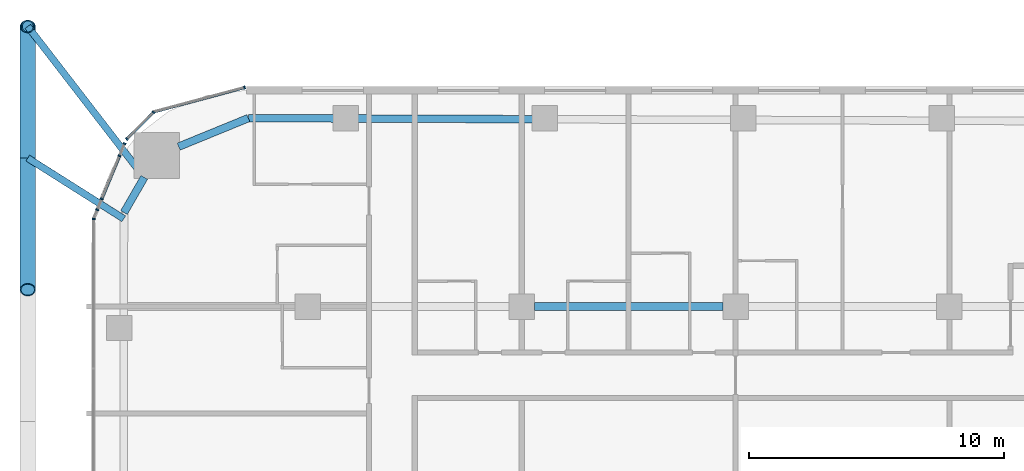
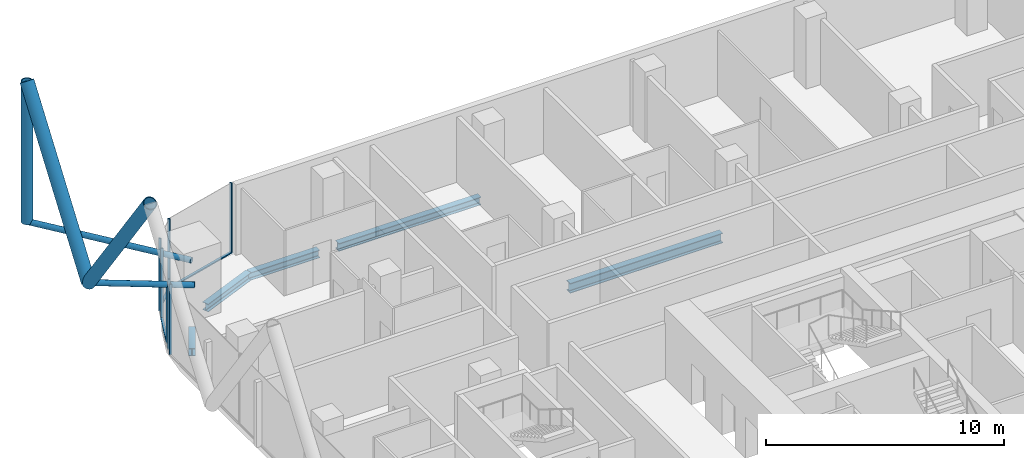
# One storey, part 10 of 38: 16 members, 5 beams, 7 elements without a shape of their own.
"""IFC4 building model written with IfcOpenShell, lengths in metres."""

from ifc_helpers import new_model, si_unit, direction, frame, origin, origin_2d, place, context, subcontext, project, spatial, rectangle, hollow_circle, i_section, extrude, material, layer, layer_set, material_profile, profile_set, type_object, element, aggregate, save


model = new_model("IFC4")

# Units and contexts
model_context = context("Model", 3, precision=1e-05, world=origin(), true_north=direction((0.0, 1.0)))
body_context = subcontext(model_context, "Body", "Model", "MODEL_VIEW")
ifc_project = project(units=[si_unit("LENGTHUNIT", "METRE"), si_unit("AREAUNIT", "SQUARE_METRE"), si_unit("VOLUMEUNIT", "CUBIC_METRE"), si_unit("PLANEANGLEUNIT", "RADIAN"), si_unit("MASSUNIT", "GRAM", prefix="KILO")], contexts=[model_context])

# Site, building, storey
site_placement = place(None, origin())
site = spatial("IfcSite", under=ifc_project, at=site_placement, CompositionType="ELEMENT")
building_placement = place(site_placement, origin())
building = spatial("IfcBuilding", under=site, at=building_placement, Name="Marenta Gate Hotel Tower", CompositionType="ELEMENT")
storey_placement = place(building_placement, frame((0.0, 0.0, 40.10009765625)))
storey = spatial("IfcBuildingStorey", under=building, at=storey_placement, Name="L07", CompositionType="ELEMENT", Elevation=40.10009765625)

# Members
ifc_material_1 = material(Name="Steel S355J2W", Category="steel")
ifc_material_profile_1 = material_profile(ifc_material_1, hollow_circle(Radius=0.25390625, WallThickness=0.0400390625, at=origin_2d()), Name="CHS 508x40")
ifc_profile_set_1 = profile_set([ifc_material_profile_1], Name="Steel S355J2W")
member_type_1 = type_object("IfcMemberType", Name="Diagrid corner post Z1 CHS 508x40", PredefinedType="POST", material=ifc_profile_set_1)
member_1_placement = place(storey_placement, frame((-32.0, 36.199951171875, 3.139892578125), z_axis=(0.0, 0.0, 1.0), x_axis=(1.0, 0.0, 0.0)))
element("IfcMember", 1, at=member_1_placement, inside=storey, type_object=member_type_1, Name="L07-DR-6", PredefinedType="POST", context=body_context, shape_type="SweptSolid", body=[
    extrude(hollow_circle(Radius=0.25390625, WallThickness=0.0400390625, at=origin_2d()), origin(), (0.0, 0.0, 1.0), 7.199951171875),
])
ifc_material_2 = material(Name="Steel S355J2W", Category="steel")
ifc_material_profile_2 = material_profile(ifc_material_2, hollow_circle(Radius=0.304931640625, WallThickness=0.0400390625, at=origin_2d()), Name="CHS 610x40")
ifc_profile_set_2 = profile_set([ifc_material_profile_2], Name="Steel S355J2W")
member_type_2 = type_object("IfcMemberType", Name="Diagrid diagonal Z1 CHS 610x40", PredefinedType="BRACE", material=ifc_profile_set_2)
for number, where, z_axis, x_axis, name in (
    (2, (-32.0, 31.030029296875, 3.139892578125), (0.0, -0.583260841117, 0.812284919975), (1.0, 0.0, 0.0), "L07-DG-33"),
    (3, (-32.0, 31.030029296875, 3.139892578125), (0.0, 0.583260841117, 0.812284919975), (-1.0, 0.0, 0.0), "L07-DG-34"),
):
    element("IfcMember", number, at=place(storey_placement, frame(where, z_axis=z_axis, x_axis=x_axis)), inside=storey, type_object=member_type_2, Name=name, PredefinedType="BRACE", context=body_context, shape_type="SweptSolid", body=[
        extrude(hollow_circle(Radius=0.304931640625, WallThickness=0.0400390625, at=origin_2d()), origin(), (0.0, 0.0, 1.0), 8.86376953125),
    ])

# Beams
ifc_material_3 = material(Name="Steel S355", Category="steel")
ifc_material_profile_3 = material_profile(ifc_material_3, i_section(OverallWidth=0.300048828125, OverallDepth=0.39990234375, WebThickness=0.013427734375, FlangeThickness=0.02392578125, FilletRadius=0.027099609375, at=origin_2d()), Name="HEB 400")
ifc_profile_set_3 = profile_set([ifc_material_profile_3], Name="Steel S355")
beam_type_1 = type_object("IfcBeamType", Name="Edge beam HEB 400", PredefinedType="SPANDREL", material=ifc_profile_set_3)
beam_1_placement = place(storey_placement, frame((-28.221435546875, 28.891845703125, -0.460205078125), z_axis=(0.500098681536, 0.865968422476, 0.0), x_axis=(-0.865968422476, 0.500098681536, 0.0)))
element("IfcBeam", 4, at=beam_1_placement, inside=storey, type_object=beam_type_1, Name="L07-EB-11", PredefinedType="SPANDREL", context=body_context, shape_type="SweptSolid", body=[
    extrude(i_section(OverallWidth=0.300048828125, OverallDepth=0.39990234375, WebThickness=0.013427734375, FlangeThickness=0.02392578125, FilletRadius=0.027099609375, at=origin_2d()), origin(), (0.0, 0.0, 1.0), 1.591552734375),
])
beam_2_placement = place(storey_placement, frame((-26.072509765625, 31.47998046875, -0.460205078125), z_axis=(0.925545641603, 0.378636059177, 0.0), x_axis=(-0.378636059177, 0.925545641603, 0.0)))
element("IfcBeam", 5, at=beam_2_placement, inside=storey, type_object=beam_type_1, Name="L07-EB-12", PredefinedType="SPANDREL", context=body_context, shape_type="SweptSolid", body=[
    extrude(i_section(OverallWidth=0.300048828125, OverallDepth=0.39990234375, WebThickness=0.013427734375, FlangeThickness=0.02392578125, FilletRadius=0.027099609375, at=origin_2d()), origin(), (0.0, 0.0, 1.0), 2.958251953125),
])
beam_3_placement = place(storey_placement, frame((-23.33447265625, 32.60009765625, -0.460205078125), z_axis=(0.999992894549, -0.00376972818, 0.0), x_axis=(0.00376972818, 0.999992894549, 0.0)))
element("IfcBeam", 6, at=beam_3_placement, inside=storey, type_object=beam_type_1, Name="L07-EB-13", PredefinedType="SPANDREL", context=body_context, shape_type="SweptSolid", body=[
    extrude(i_section(OverallWidth=0.300048828125, OverallDepth=0.39990234375, WebThickness=0.013427734375, FlangeThickness=0.02392578125, FilletRadius=0.027099609375, at=origin_2d()), origin(), (0.0, 0.0, 1.0), 3.36767578125),
])
beam_4_placement = place(storey_placement, frame((-19.046875, 32.583984375, -0.460205078125), z_axis=(0.999993064268, -0.003724435008, 0.0), x_axis=(0.003724435008, 0.999993064268, 0.0)))
element("IfcBeam", 7, at=beam_4_placement, inside=storey, type_object=beam_type_1, Name="L07-EB-14", PredefinedType="SPANDREL", context=body_context, shape_type="SweptSolid", body=[
    extrude(i_section(OverallWidth=0.300048828125, OverallDepth=0.39990234375, WebThickness=0.013427734375, FlangeThickness=0.02392578125, FilletRadius=0.027099609375, at=origin_2d()), origin(), (0.0, 0.0, 1.0), 6.8828125),
])

# Members
ifc_material_4 = material(Name="Steel S355J2W", Category="steel")
ifc_material_profile_4 = material_profile(ifc_material_4, hollow_circle(Radius=0.136474609375, WallThickness=0.012451171875, at=origin_2d()), Name="CHS 273x12.5")
ifc_profile_set_4 = profile_set([ifc_material_profile_4], Name="Steel S355J2W")
member_type_3 = type_object("IfcMemberType", Name="Floor tie CHS 273x12.5", PredefinedType="STRUT", material=ifc_profile_set_4)
member_2_placement = place(storey_placement, frame((-32.0, 31.030029296875, 3.139892578125), z_axis=(0.845282103526, -0.534320283592, 0.0), x_axis=(0.534320283592, 0.845282103526, 0.0)))
element("IfcMember", 8, at=member_2_placement, inside=storey, type_object=member_type_3, Name="L07-DR-21", PredefinedType="STRUT", context=body_context, shape_type="SweptSolid", body=[
    extrude(hollow_circle(Radius=0.136474609375, WallThickness=0.012451171875, at=origin_2d()), origin(), (0.0, 0.0, 1.0), 4.4619140625),
])
member_3_placement = place(storey_placement, frame((-32.0, 36.199951171875, 3.139892578125), z_axis=(0.610809299032, -0.791777746729, 0.0), x_axis=(0.791777746729, 0.610809299032, 0.0)))
element("IfcMember", 9, at=member_3_placement, inside=storey, type_object=member_type_3, Name="L07-DR-22", PredefinedType="STRUT", context=body_context, shape_type="SweptSolid", body=[
    extrude(hollow_circle(Radius=0.136474609375, WallThickness=0.012451171875, at=origin_2d()), origin(), (0.0, 0.0, 1.0), 7.48193359375),
])

# Beam
ifc_material_5 = material(Name="Steel S355", Category="steel")
ifc_material_profile_5 = material_profile(ifc_material_5, i_section(OverallWidth=0.300048828125, OverallDepth=0.5, WebThickness=0.014404296875, FlangeThickness=0.028076171875, FilletRadius=0.027099609375, at=origin_2d()), Name="HEB 500")
ifc_profile_set_5 = profile_set([ifc_material_profile_5], Name="Steel S355")
beam_type_2 = type_object("IfcBeamType", Name="Girder HEB 500", PredefinedType="BEAM", material=ifc_profile_set_5)
beam_5_placement = place(storey_placement, frame((-12.10009765625, 25.199951171875, -0.510009765625), z_axis=(1.0, 0.0, 0.0), x_axis=(0.0, 1.0, 0.0)))
element("IfcBeam", 10, at=beam_5_placement, inside=storey, type_object=beam_type_2, Name="L07-GD-24", PredefinedType="BEAM", context=body_context, shape_type="SweptSolid", body=[
    extrude(i_section(OverallWidth=0.300048828125, OverallDepth=0.5, WebThickness=0.014404296875, FlangeThickness=0.028076171875, FilletRadius=0.027099609375, at=origin_2d()), origin(), (0.0, 0.0, 1.0), 7.400146484375),
])

# Curtain wall, member
ifc_material_6 = material(Name="Tinted insulated glass in bronze anodised frame", Category="glass")
ifc_layer = layer(ifc_material_6, 0.1201171875)
ifc_layer_set = layer_set([ifc_layer], Name="Tinted insulated glass in bronze anodised frame")
curtain_wall_type = type_object("IfcCurtainWallType", Name="Tower unitised curtain wall CW1", PredefinedType="NOTDEFINED", material=ifc_layer_set)
curtain_wall_1_placement = place(storey_placement, origin())
curtain_wall_1 = element("IfcCurtainWall", 11, at=curtain_wall_1_placement, inside=storey, type_object=curtain_wall_type, Name="CW1 run G00", PredefinedType="NOTDEFINED")
ifc_material_7 = material(Name="Bronze anodised aluminium", Category="aluminium")
ifc_material_profile_6 = material_profile(ifc_material_7, rectangle(XDim=0.1201171875, YDim=0.06005859375, at=origin_2d()), Name="Mullion CW1 60x120 bronze anodised aluminium")
ifc_profile_set_6 = profile_set([ifc_material_profile_6], Name="Bronze anodised aluminium")
member_type_4 = type_object("IfcMemberType", Name="Mullion CW1 60x120 bronze anodised aluminium", PredefinedType="MULLION", material=ifc_profile_set_6)
member_4_placement = place(storey_placement, frame((-23.485595703125, 33.80322265625, 0.0), z_axis=(0.0, 0.0, 1.0), x_axis=(0.258801657317, -0.965930485164, 0.0)))
member_4 = element("IfcMember", 12, at=member_4_placement, type_object=member_type_4, Name="CW1 mullion 1", PredefinedType="MULLION", context=body_context, shape_type="SweptSolid", body=[
    extrude(rectangle(XDim=0.1201171875, YDim=0.06005859375, at=origin_2d()), origin(), (0.0, 0.0, 1.0), 3.599853515625),
])

# Curtain wall, members
curtain_wall_2_placement = place(storey_placement, origin())
curtain_wall_2 = element("IfcCurtainWall", 13, at=curtain_wall_2_placement, inside=storey, type_object=curtain_wall_type, Name="CW1 run G01", PredefinedType="NOTDEFINED")
member_5_placement = place(storey_placement, frame((-27.06103515625, 32.82958984375, 0.0), z_axis=(0.0, 0.0, 1.0), x_axis=(0.707106781187, -0.707106781187, 0.0)))
member_5 = element("IfcMember", 14, at=member_5_placement, type_object=member_type_4, Name="CW1 mullion 1", PredefinedType="MULLION", context=body_context, shape_type="SweptSolid", body=[
    extrude(rectangle(XDim=0.1201171875, YDim=0.06005859375, at=origin_2d()), origin(), (0.0, 0.0, 1.0), 3.599853515625),
])
member_6_placement = place(storey_placement, frame((-28.109619140625, 31.781005859375, 0.0), z_axis=(0.0, 0.0, 1.0), x_axis=(0.707106781187, -0.707106781187, 0.0)))
member_6 = element("IfcMember", 15, at=member_6_placement, type_object=member_type_4, Name="CW1 mullion 2", PredefinedType="MULLION", context=body_context, shape_type="SweptSolid", body=[
    extrude(rectangle(XDim=0.1201171875, YDim=0.06005859375, at=origin_2d()), origin(), (0.0, 0.0, 1.0), 3.599853515625),
])

# Curtain wall, member
curtain_wall_3_placement = place(storey_placement, origin())
curtain_wall_3 = element("IfcCurtainWall", 16, at=curtain_wall_3_placement, inside=storey, type_object=curtain_wall_type, Name="CW1 run G02", PredefinedType="NOTDEFINED")
member_7_placement = place(storey_placement, frame((-28.197509765625, 31.59912109375, 0.0), z_axis=(0.0, 0.0, 1.0), x_axis=(0.923879170538, -0.382684306245, 0.0)))
member_7 = element("IfcMember", 17, at=member_7_placement, type_object=member_type_4, Name="CW1 mullion 1", PredefinedType="MULLION", context=body_context, shape_type="SweptSolid", body=[
    extrude(rectangle(XDim=0.1201171875, YDim=0.06005859375, at=origin_2d()), origin(), (0.0, 0.0, 1.0), 3.00048828125),
])
aggregate(curtain_wall_3, [member_7])

curtain_wall_4_placement = place(storey_placement, origin())
curtain_wall_4 = element("IfcCurtainWall", 18, at=curtain_wall_4_placement, inside=storey, type_object=curtain_wall_type, Name="CW1 run G03", PredefinedType="NOTDEFINED")
member_8_placement = place(storey_placement, frame((-28.3974609375, 31.116455078125, 0.0), z_axis=(0.0, 0.0, 1.0), x_axis=(0.923879455147, -0.382683619138, 0.0)))
member_8 = element("IfcMember", 19, at=member_8_placement, type_object=member_type_4, Name="CW1 mullion 1", PredefinedType="MULLION", context=body_context, shape_type="SweptSolid", body=[
    extrude(rectangle(XDim=0.1201171875, YDim=0.06005859375, at=origin_2d()), origin(), (0.0, 0.0, 1.0), 3.599853515625),
])

curtain_wall_5_placement = place(storey_placement, origin())
curtain_wall_5 = element("IfcCurtainWall", 20, at=curtain_wall_5_placement, inside=storey, type_object=curtain_wall_type, Name="CW1 run G04", PredefinedType="NOTDEFINED")
member_9_placement = place(storey_placement, frame((-29.0966796875, 29.427978515625, 0.0), z_axis=(0.0, 0.0, 1.0), x_axis=(0.923815303293, -0.382838458625, 0.0)))
member_9 = element("IfcMember", 21, at=member_9_placement, type_object=member_type_4, Name="CW1 mullion 1", PredefinedType="MULLION", context=body_context, shape_type="SweptSolid", body=[
    extrude(rectangle(XDim=0.1201171875, YDim=0.06005859375, at=origin_2d()), origin(), (0.0, 0.0, 1.0), 3.00048828125),
])
aggregate(curtain_wall_5, [member_9])

curtain_wall_6_placement = place(storey_placement, origin())
curtain_wall_6 = element("IfcCurtainWall", 22, at=curtain_wall_6_placement, inside=storey, type_object=curtain_wall_type, Name="CW1 run G05", PredefinedType="NOTDEFINED")
member_10_placement = place(storey_placement, frame((-29.272705078125, 29.003173828125, 0.0), z_axis=(0.0, 0.0, 1.0), x_axis=(0.923973627119, -0.382456188848, 0.0)))
member_10 = element("IfcMember", 23, at=member_10_placement, type_object=member_type_4, Name="CW1 mullion 1", PredefinedType="MULLION", context=body_context, shape_type="SweptSolid", body=[
    extrude(rectangle(XDim=0.1201171875, YDim=0.06005859375, at=origin_2d()), origin(), (0.0, 0.0, 1.0), 3.599853515625),
])
aggregate(curtain_wall_6, [member_10])

curtain_wall_7_placement = place(storey_placement, origin())
curtain_wall_7 = element("IfcCurtainWall", 24, at=curtain_wall_7_placement, inside=storey, type_object=curtain_wall_type, Name="CW1 run G06", PredefinedType="NOTDEFINED")
member_11_placement = place(storey_placement, frame((-29.412353515625, 28.63623046875, 0.0), z_axis=(0.0, 0.0, 1.0), x_axis=(0.999998767315, -0.001570149369, 0.0)))
member_11 = element("IfcMember", 25, at=member_11_placement, type_object=member_type_4, Name="CW1 mullion 1", PredefinedType="MULLION", context=body_context, shape_type="SweptSolid", body=[
    extrude(rectangle(XDim=0.1201171875, YDim=0.06005859375, at=origin_2d()), origin(), (0.0, 0.0, 1.0), 3.599853515625),
])
aggregate(curtain_wall_7, [member_11])

# Member
ifc_material_8 = material(Name="Bronze anodised aluminium", Category="aluminium")
ifc_material_profile_7 = material_profile(ifc_material_8, rectangle(XDim=0.1201171875, YDim=0.06005859375, at=origin_2d()), Name="Transom CW1 60x120 bronze anodised aluminium")
ifc_profile_set_7 = profile_set([ifc_material_profile_7], Name="Bronze anodised aluminium")
member_type_5 = type_object("IfcMemberType", Name="Transom CW1 60x120 bronze anodised aluminium", PredefinedType="USERDEFINED", material=ifc_profile_set_7)
member_12_placement = place(storey_placement, frame((-23.514404296875, 33.79541015625, 0.02978515625), z_axis=(-0.965928942389, -0.258807415381, 0.0), x_axis=(0.258807415381, -0.965928942389, 0.0)))
member_12 = element("IfcMember", 26, at=member_12_placement, type_object=member_type_5, Name="CW1 transom 1.1", ObjectType="TRANSOM", PredefinedType="USERDEFINED", context=body_context, shape_type="SweptSolid", body=[
    extrude(rectangle(XDim=0.1201171875, YDim=0.06005859375, at=origin_2d()), origin(), (0.0, 0.0, 1.0), 3.649658203125),
])

aggregate(curtain_wall_1, [member_4, member_12])

member_13_placement = place(storey_placement, frame((-27.082275390625, 32.80859375, 0.02978515625), z_axis=(-0.707020993286, -0.707192558681, 0.0), x_axis=(0.707192558681, -0.707020993286, 0.0)))
member_13 = element("IfcMember", 27, at=member_13_placement, type_object=member_type_5, Name="CW1 transom 1.1", ObjectType="TRANSOM", PredefinedType="USERDEFINED", context=body_context, shape_type="SweptSolid", body=[
    extrude(rectangle(XDim=0.1201171875, YDim=0.06005859375, at=origin_2d()), origin(), (0.0, 0.0, 1.0), 1.423095703125),
])

aggregate(curtain_wall_2, [member_5, member_6, member_13])

member_14_placement = place(storey_placement, frame((-28.408935546875, 31.0888671875, 0.02978515625), z_axis=(-0.38260390766, -0.923912468713, 0.0), x_axis=(0.923912468713, -0.38260390766, 0.0)))
member_14 = element("IfcMember", 28, at=member_14_placement, type_object=member_type_5, Name="CW1 transom 1.1", ObjectType="TRANSOM", PredefinedType="USERDEFINED", context=body_context, shape_type="SweptSolid", body=[
    extrude(rectangle(XDim=0.1201171875, YDim=0.06005859375, at=origin_2d()), origin(), (0.0, 0.0, 1.0), 1.767578125),
])

aggregate(curtain_wall_4, [member_8, member_14])

save(model, "model.ifc")
